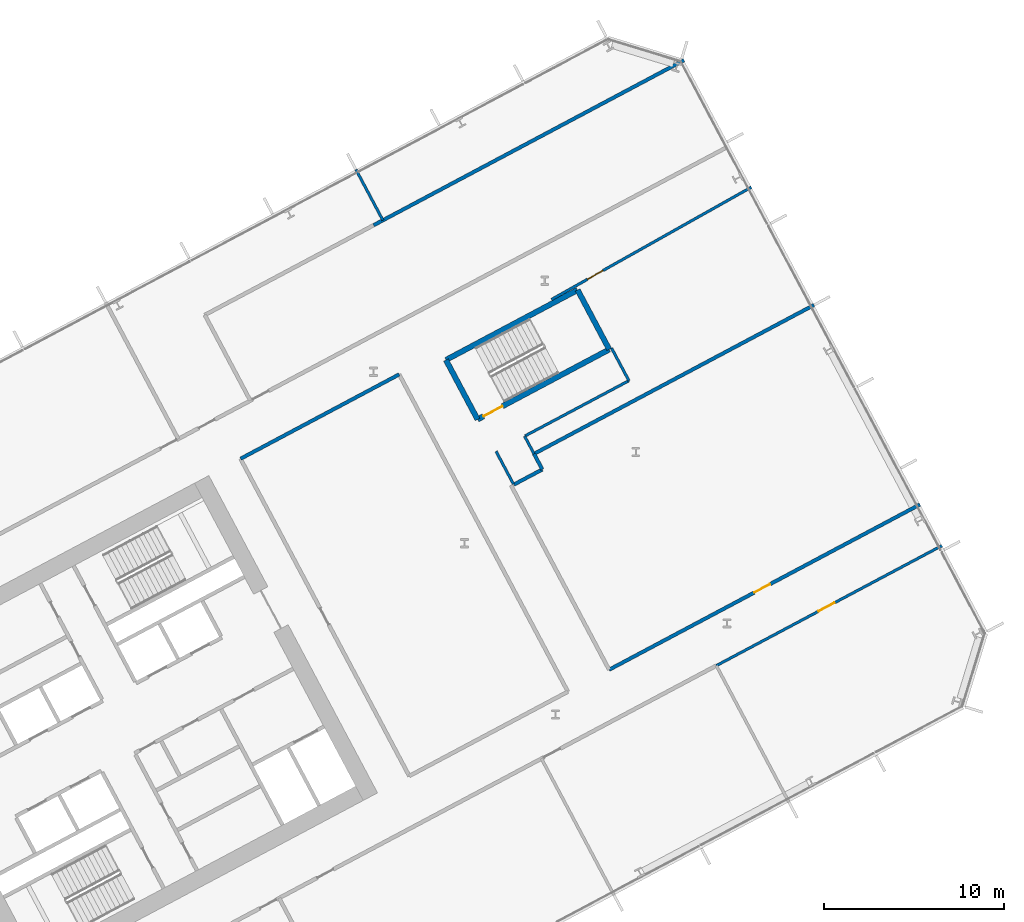
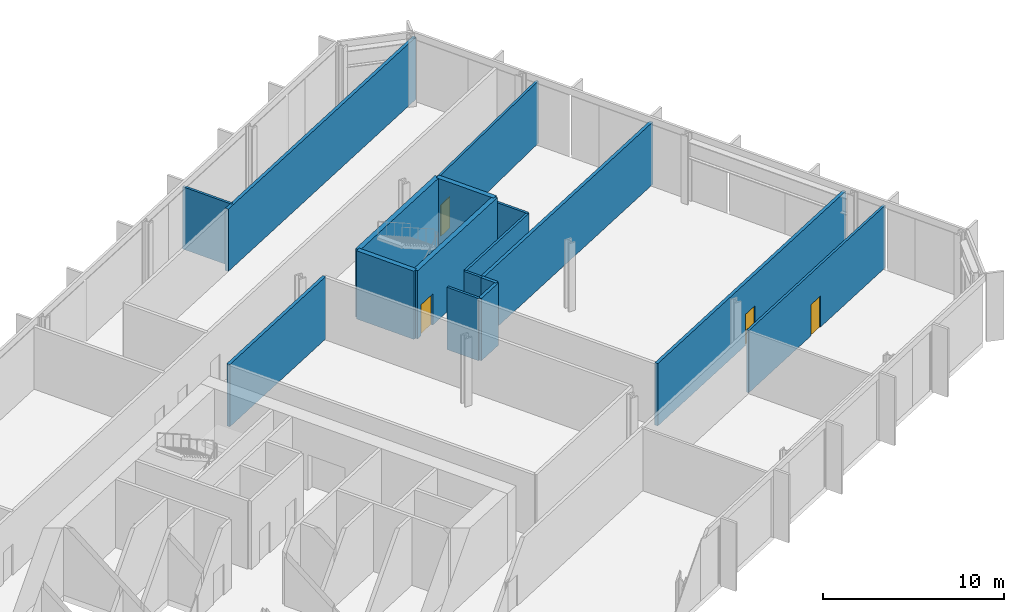
# One storey, part 19 of 31: 17 walls, 4 doors, 4 openings.
"""IFC4 building model written with IfcOpenShell, lengths in metres."""

from ifc_helpers import new_model, si_unit, direction, frame, frame_2d, origin, place, context, subcontext, project, spatial, rectangle, extrude, material, layer, layer_set, type_object, element, fill, save


model = new_model("IFC4")

# Units and contexts
model_context = context("Model", 3, precision=1e-05, world=origin(), true_north=direction((0.0, 1.0)))
body_context = subcontext(model_context, "Body", "Model", "MODEL_VIEW")
ifc_project = project(units=[si_unit("LENGTHUNIT", "METRE"), si_unit("AREAUNIT", "SQUARE_METRE"), si_unit("VOLUMEUNIT", "CUBIC_METRE"), si_unit("PLANEANGLEUNIT", "RADIAN"), si_unit("MASSUNIT", "GRAM", prefix="KILO")], contexts=[model_context])

# Site, building, storey
site_placement = place(None, origin())
site = spatial("IfcSite", under=ifc_project, at=site_placement, CompositionType="ELEMENT")
building_placement = place(site_placement, origin())
building = spatial("IfcBuilding", under=site, at=building_placement, Name="Cormorant Relay Tower", CompositionType="ELEMENT")
storey_placement = place(building_placement, frame((0.0, 0.0, 98.39990234375)))
storey = spatial("IfcBuildingStorey", under=building, at=storey_placement, Name="L19", CompositionType="ELEMENT", Elevation=98.39990234375)

# Walls
ifc_material_1 = material(Name="Fire-rated gypsum board partition")
ifc_layer_1 = layer(ifc_material_1, 0.199951171875)
ifc_layer_set_1 = layer_set([ifc_layer_1], Name="Fire-rated gypsum partition 200")
wall_type_1 = type_object("IfcWallType", Name="Fire-rated gypsum partition 200", PredefinedType="PARTITIONING", material=ifc_layer_set_1)
wall_1_placement = place(storey_placement, frame((38.028076171875, 40.60693359375, 0.0), z_axis=(0.0, 0.0, 1.0), x_axis=(0.882955326711, 0.469457017237, 0.0)))
element("IfcWall", 1, at=wall_1_placement, inside=storey, type_object=wall_type_1, Name="wall/L19/part/40", PredefinedType="PARTITIONING", context=body_context, shape_type="SweptSolid", body=[
    extrude(rectangle(XDim=19.576171875, YDim=0.199951171875, at=frame_2d((9.7880859375, 0.0))), origin(), (0.0, 0.0, 1.0), 4.2001953125),
])
wall_2_placement = place(storey_placement, frame((46.9580078125, 27.881103515625, 0.0), z_axis=(0.0, 0.0, 1.0), x_axis=(0.469300305861, -0.883038630479, 0.0)))
element("IfcWall", 2, at=wall_2_placement, inside=storey, type_object=wall_type_1, Name="wall/L19/part/44", PredefinedType="PARTITIONING", context=body_context, shape_type="SweptSolid", body=[
    extrude(rectangle(XDim=0.984375, YDim=0.199951171875, at=frame_2d((0.4921875, 0.0))), origin(), (0.0, 0.0, 1.0), 4.2001953125),
])
wall_3_placement = place(storey_placement, frame((47.419921875, 27.011962890625, 0.0), z_axis=(0.0, 0.0, 1.0), x_axis=(-0.88313680222, -0.46911553861, 0.0)))
element("IfcWall", 3, at=wall_3_placement, inside=storey, type_object=wall_type_1, Name="wall/L19/part/45", PredefinedType="PARTITIONING", context=body_context, shape_type="SweptSolid", body=[
    extrude(rectangle(XDim=1.799072265625, YDim=0.199951171875, at=frame_2d((0.8994140625, 0.0))), origin(), (0.0, 0.0, 1.0), 4.2001953125),
])
wall_4_placement = place(storey_placement, frame((62.5419921875, 36.166015625, 0.0), z_axis=(0.0, 0.0, 1.0), x_axis=(-0.8829766993, -0.469416817438, 0.0)))
element("IfcWall", 4, at=wall_4_placement, inside=storey, type_object=wall_type_1, Name="wall/L19/part/49", PredefinedType="PARTITIONING", context=body_context, shape_type="SweptSolid", body=[
    extrude(rectangle(XDim=17.6494140625, YDim=0.199951171875, at=frame_2d((8.82470703125, 0.0))), origin(), (0.0, 0.0, 1.0), 4.2001953125),
])

# Wall, opening, door
wall_5_placement = place(storey_placement, frame((51.137939453125, 15.864990234375, 0.0), z_axis=(0.0, 0.0, 1.0), x_axis=(0.882966979162, 0.469435100636, 0.0)))
wall_5 = element("IfcWall", 5, at=wall_5_placement, inside=storey, type_object=wall_type_1, Name="wall/L19/part/50", PredefinedType="PARTITIONING", context=body_context, shape_type="SweptSolid", body=[
    extrude(rectangle(XDim=19.60009765625, YDim=0.199951171875, at=frame_2d((9.800048828125, 0.0))), origin(), (0.0, 0.0, 1.0), 4.2001953125),
])
opening_1_placement = place(wall_5_placement, frame((9.14990234375, 0.0, 0.0)))
opening_1 = element("IfcOpeningElement", 6, at=opening_1_placement, cuts=wall_5, Name="Opening FD1-109", PredefinedType="OPENING", context=body_context, shape_type="SweptSolid", body=[
    extrude(rectangle(XDim=1.0, YDim=2.10009765625, at=frame_2d((0.5, 1.050048828125))), frame((0.0, 0.10986328125, 0.0), z_axis=(0.0, -1.0, 0.0), x_axis=(1.0, 0.0, 0.0)), (0.0, 0.0, 1.0), 0.219970703125),
])
ifc_material_2 = material(Name="Fire-rated steel door", Category="steel")
door_type_1 = type_object("IfcDoorType", Name="Fire door 1000 x 2100", OperationType="SINGLE_SWING_LEFT", PredefinedType="DOOR", material=ifc_material_2)
door_1_placement = place(opening_1_placement, origin())
door_1 = element("IfcDoor", 7, at=door_1_placement, inside=storey, type_object=door_type_1, Name="door/L19/22", OperationType="SINGLE_SWING_LEFT", OverallHeight=2.10009765625, OverallWidth=1.0, PredefinedType="DOOR", context=body_context, shape_type="SweptSolid", body=[
    extrude(rectangle(XDim=1.0, YDim=2.10009765625, at=frame_2d((0.5, 1.050048828125))), frame((0.0, 0.02490234375, 0.0), z_axis=(0.0, -1.0, 0.0), x_axis=(1.0, 0.0, 0.0)), (0.0, 0.0, 1.0), 0.050048828125),
])
fill(opening_1, door_1)

# Walls
wall_6_placement = place(storey_placement, frame((30.623046875, 27.60791015625, 0.0), z_axis=(0.0, 0.0, 1.0), x_axis=(0.882940863385, 0.469484218867, 0.0)))
element("IfcWall", 8, at=wall_6_placement, inside=storey, type_object=wall_type_1, Name="wall/L19/part/65", PredefinedType="PARTITIONING", context=body_context, shape_type="SweptSolid", body=[
    extrude(rectangle(XDim=10.00048828125, YDim=0.199951171875, at=frame_2d((5.000244140625, 0.0))), origin(), (0.0, 0.0, 1.0), 4.2001953125),
])
ifc_material_3 = material(Name="Gypsum board partition")
ifc_layer_2 = layer(ifc_material_3, 0.14990234375)
ifc_layer_set_2 = layer_set([ifc_layer_2], Name="Gypsum board partition 150")
wall_type_2 = type_object("IfcWallType", Name="Gypsum board partition 150", PredefinedType="PARTITIONING", material=ifc_layer_set_2)
wall_7_placement = place(storey_placement, frame((37.0439453125, 43.70703125, 0.0), z_axis=(0.0, 0.0, 1.0), x_axis=(0.469447181805, -0.882960556025, 0.0)))
element("IfcWall", 9, at=wall_7_placement, inside=storey, type_object=wall_type_2, Name="wall/L19/part/39", PredefinedType="PARTITIONING", context=body_context, shape_type="SweptSolid", body=[
    extrude(rectangle(XDim=3.199462890625, YDim=0.14990234375, at=frame_2d((1.599609375, 0.0))), origin(), (0.0, 0.0, 1.0), 4.2001953125),
])

# Wall, opening, door
wall_8_placement = place(storey_placement, frame((59.053955078125, 42.72509765625, 0.0), z_axis=(0.0, 0.0, 1.0), x_axis=(-0.871718625081, -0.490006774124, 0.0)))
wall_8 = element("IfcWall", 10, at=wall_8_placement, inside=storey, type_object=wall_type_2, Name="wall/L19/part/41", PredefinedType="PARTITIONING", context=body_context, shape_type="SweptSolid", body=[
    extrude(rectangle(XDim=12.75537109375, YDim=0.14990234375, at=frame_2d((6.377685546875, 0.0))), origin(), (0.0, 0.0, 1.0), 4.2001953125),
])
opening_2_placement = place(wall_8_placement, frame((9.468017578125, 0.0, 0.0)))
opening_2 = element("IfcOpeningElement", 11, at=opening_2_placement, cuts=wall_8, Name="Opening D1-046", PredefinedType="OPENING", context=body_context, shape_type="SweptSolid", body=[
    extrude(rectangle(XDim=1.0, YDim=2.10009765625, at=frame_2d((0.5, 1.050048828125))), frame((0.0, 0.0849609375, 0.0), z_axis=(0.0, -1.0, 0.0), x_axis=(1.0, 0.0, 0.0)), (0.0, 0.0, 1.0), 0.169921875),
])
ifc_material_4 = material(Name="Painted steel door", Category="steel")
door_type_2 = type_object("IfcDoorType", Name="Single door 1000 x 2100", OperationType="SINGLE_SWING_LEFT", PredefinedType="DOOR", material=ifc_material_4)
door_2_placement = place(opening_2_placement, origin())
door_2 = element("IfcDoor", 12, at=door_2_placement, inside=storey, type_object=door_type_2, Name="door/L19/23", OperationType="SINGLE_SWING_RIGHT", OverallHeight=2.10009765625, OverallWidth=1.0, PredefinedType="DOOR", context=body_context, shape_type="SweptSolid", body=[
    extrude(rectangle(XDim=1.0, YDim=2.10009765625, at=frame_2d((0.5, 1.050048828125))), frame((0.0, 0.02490234375, 0.0), z_axis=(0.0, -1.0, 0.0), x_axis=(1.0, 0.0, 0.0)), (0.0, 0.0, 1.0), 0.050048828125),
])
fill(opening_2, door_2)

# Walls
wall_9_placement = place(storey_placement, frame((45.811279296875, 26.2021484375, 0.0), z_axis=(0.0, 0.0, 1.0), x_axis=(-0.469172559653, 0.883106510716, 0.0)))
element("IfcWall", 13, at=wall_9_placement, inside=storey, type_object=wall_type_2, Name="wall/L19/part/42", PredefinedType="PARTITIONING", context=body_context, shape_type="SweptSolid", body=[
    extrude(rectangle(XDim=2.0595703125, YDim=0.14990234375, at=frame_2d((1.02978515625, 0.0))), origin(), (0.0, 0.0, 1.0), 4.2001953125),
])
wall_10_placement = place(storey_placement, frame((52.239013671875, 31.952880859375, 0.0), z_axis=(0.0, 0.0, 1.0), x_axis=(-0.882908561856, -0.469544962065, 0.0)))
element("IfcWall", 14, at=wall_10_placement, inside=storey, type_object=wall_type_2, Name="wall/L19/part/46", PredefinedType="PARTITIONING", context=body_context, shape_type="SweptSolid", body=[
    extrude(rectangle(XDim=6.548828125, YDim=0.14990234375, at=frame_2d((3.2744140625, 0.0))), origin(), (0.0, 0.0, 1.0), 4.2001953125),
])
wall_11_placement = place(storey_placement, frame((52.239013671875, 31.952880859375, 0.0), z_axis=(0.0, 0.0, 1.0), x_axis=(-0.469697898274, 0.882827210929, 0.0)))
element("IfcWall", 15, at=wall_11_placement, inside=storey, type_object=wall_type_2, Name="wall/L19/part/47", PredefinedType="PARTITIONING", context=body_context, shape_type="SweptSolid", body=[
    extrude(rectangle(XDim=2.050048828125, YDim=0.14990234375, at=frame_2d((1.02490234375, 0.0))), origin(), (0.0, 0.0, 1.0), 4.2001953125),
])
wall_12_placement = place(storey_placement, frame((46.43408203125, 28.865966796875, 0.0), z_axis=(0.0, 0.0, 1.0), x_axis=(0.469656526593, -0.882849221005, 0.0)))
element("IfcWall", 16, at=wall_12_placement, inside=storey, type_object=wall_type_2, Name="wall/L19/part/48", PredefinedType="PARTITIONING", context=body_context, shape_type="SweptSolid", body=[
    extrude(rectangle(XDim=1.115478515625, YDim=0.14990234375, at=frame_2d((0.5576171875, 0.0))), origin(), (0.0, 0.0, 1.0), 4.2001953125),
])

# Wall, opening, door
wall_13_placement = place(storey_placement, frame((57.10498046875, 16.093017578125, 0.0), z_axis=(0.0, 0.0, 1.0), x_axis=(0.882869815227, 0.469617812015, 0.0)))
wall_13 = element("IfcWall", 17, at=wall_13_placement, inside=storey, type_object=wall_type_2, Name="wall/L19/part/52", PredefinedType="PARTITIONING", context=body_context, shape_type="SweptSolid", body=[
    extrude(rectangle(XDim=14.22412109375, YDim=0.14990234375, at=frame_2d((7.112060546875, 0.0))), origin(), (0.0, 0.0, 1.0), 4.2001953125),
])
opening_3_placement = place(wall_13_placement, frame((6.449951171875, 0.0, 0.0)))
opening_3 = element("IfcOpeningElement", 18, at=opening_3_placement, cuts=wall_13, Name="Opening D1-045", PredefinedType="OPENING", context=body_context, shape_type="SweptSolid", body=[
    extrude(rectangle(XDim=1.0, YDim=2.10009765625, at=frame_2d((0.5, 1.050048828125))), frame((0.0, 0.0849609375, 0.0), z_axis=(0.0, -1.0, 0.0), x_axis=(1.0, 0.0, 0.0)), (0.0, 0.0, 1.0), 0.169921875),
])
door_3_placement = place(opening_3_placement, frame((1.0, 0.0, 0.0), z_axis=(0.0, 0.0, 1.0), x_axis=(-1.0, 0.0, 0.0)))
door_3 = element("IfcDoor", 19, at=door_3_placement, inside=storey, type_object=door_type_2, Name="door/L19/16", OperationType="SINGLE_SWING_RIGHT", OverallHeight=2.10009765625, OverallWidth=1.0, PredefinedType="DOOR", context=body_context, shape_type="SweptSolid", body=[
    extrude(rectangle(XDim=1.0, YDim=2.10009765625, at=frame_2d((0.5, 1.050048828125))), frame((0.0, 0.02490234375, 0.0), z_axis=(0.0, -1.0, 0.0), x_axis=(1.0, 0.0, 0.0)), (0.0, 0.0, 1.0), 0.050048828125),
])
fill(opening_3, door_3)

# Wall
ifc_material_5 = material(Name="Concrete 50 MPa", Category="concrete")
ifc_layer_3 = layer(ifc_material_5, 0.300048828125)
ifc_layer_set_3 = layer_set([ifc_layer_3], Name="Remote stair wall 300")
wall_type_3 = type_object("IfcWallType", Name="Remote stair wall 300", PredefinedType="SHEAR", material=ifc_layer_set_3)
wall_14_placement = place(storey_placement, frame((49.384033203125, 37.00390625, 0.0), z_axis=(0.0, 0.0, 1.0), x_axis=(0.46946936446, -0.882948761726, 0.0)))
element("IfcWall", 20, at=wall_14_placement, inside=storey, type_object=wall_type_3, Name="L19 exit stair RB1 wall", PredefinedType="SHEAR", context=body_context, shape_type="SweptSolid", body=[
    extrude(rectangle(XDim=3.75, YDim=0.300048828125, at=frame_2d((1.875, 0.0))), origin(), (0.0, 0.0, 1.0), 4.60009765625),
])

# Wall, opening, door
wall_15_placement = place(storey_placement, frame((51.14453125, 33.69287109375, 0.0), z_axis=(0.0, 0.0, 1.0), x_axis=(-0.882945809314, -0.469474917132, 0.0)))
wall_15 = element("IfcWall", 21, at=wall_15_placement, inside=storey, type_object=wall_type_3, Name="L19 exit stair RB1 wall", PredefinedType="SHEAR", context=body_context, shape_type="SweptSolid", body=[
    extrude(rectangle(XDim=8.30029296875, YDim=0.300048828125, at=frame_2d((4.150146484375, 0.0))), origin(), (0.0, 0.0, 1.0), 4.60009765625),
])
opening_4_placement = place(wall_15_placement, frame((6.72509765625, 0.0, 0.0)))
opening_4 = element("IfcOpeningElement", 22, at=opening_4_placement, cuts=wall_15, Name="Opening CDB-028", PredefinedType="OPENING", context=body_context, shape_type="SweptSolid", body=[
    extrude(rectangle(XDim=1.199951171875, YDim=2.10009765625, at=frame_2d((0.60009765625, 1.050048828125))), frame((0.0, 0.159912109375, 0.0), z_axis=(0.0, -1.0, 0.0), x_axis=(1.0, 0.0, 0.0)), (0.0, 0.0, 1.0), 0.320068359375),
])
ifc_material_6 = material(Name="Steel fire door", Category="steel")
door_type_3 = type_object("IfcDoorType", Name="Core stair door 1200x2100", OperationType="SINGLE_SWING_LEFT", PredefinedType="DOOR", material=ifc_material_6)
door_4_placement = place(opening_4_placement, frame((1.199951171875, 0.0, 0.0), z_axis=(0.0, 0.0, 1.0), x_axis=(-1.0, 0.0, 0.0)))
door_4 = element("IfcDoor", 23, at=door_4_placement, inside=storey, type_object=door_type_3, Name="Exit stair RB1 door", OperationType="SINGLE_SWING_LEFT", OverallHeight=2.10009765625, OverallWidth=1.199951171875, PredefinedType="DOOR", context=body_context, shape_type="SweptSolid", body=[
    extrude(rectangle(XDim=1.199951171875, YDim=2.10009765625, at=frame_2d((0.60009765625, 1.050048828125))), frame((0.0, 0.02490234375, 0.0), z_axis=(0.0, -1.0, 0.0), x_axis=(1.0, 0.0, 0.0)), (0.0, 0.0, 1.0), 0.050048828125),
])
fill(opening_4, door_4)

# Walls
wall_16_placement = place(storey_placement, frame((43.81591796875, 29.796142578125, 0.0), z_axis=(0.0, 0.0, 1.0), x_axis=(-0.46946936446, 0.882948761726, 0.0)))
element("IfcWall", 24, at=wall_16_placement, inside=storey, type_object=wall_type_3, Name="L19 exit stair RB1 wall", PredefinedType="SHEAR", context=body_context, shape_type="SweptSolid", body=[
    extrude(rectangle(XDim=3.75, YDim=0.300048828125, at=frame_2d((1.875, 0.0))), origin(), (0.0, 0.0, 1.0), 4.60009765625),
])
wall_17_placement = place(storey_placement, frame((42.055419921875, 33.107177734375, 0.0), z_axis=(0.0, 0.0, 1.0), x_axis=(0.882945809314, 0.469474917132, 0.0)))
element("IfcWall", 25, at=wall_17_placement, inside=storey, type_object=wall_type_3, Name="L19 exit stair RB1 wall", PredefinedType="SHEAR", context=body_context, shape_type="SweptSolid", body=[
    extrude(rectangle(XDim=8.30029296875, YDim=0.300048828125, at=frame_2d((4.150146484375, 0.0))), origin(), (0.0, 0.0, 1.0), 4.60009765625),
])

save(model, "model.ifc")
